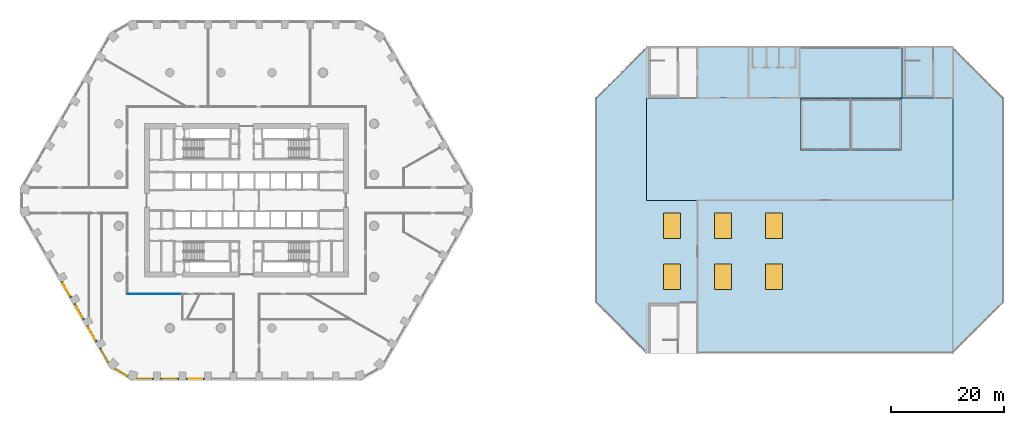
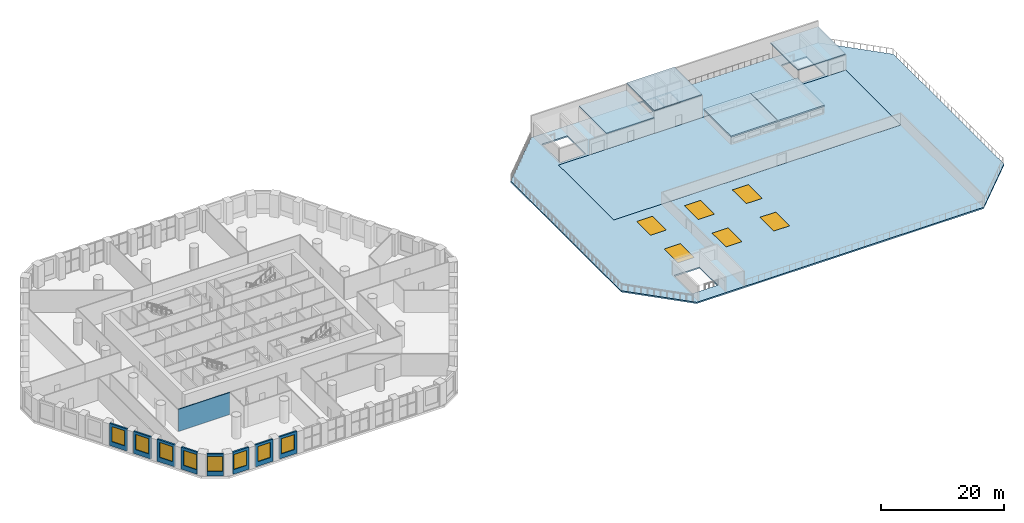
# One storey, part 6 of 21: 14 windows, 9 walls, 7 slabs, 14 openings.
"""IFC4 building model written with IfcOpenShell, lengths in metres."""

from ifc_helpers import new_model, si_unit, direction, frame, frame_2d, origin, origin_2d, place, context, subcontext, project, spatial, polyline, rectangle, outline, extrude, material, layer, layer_set, type_object, element, fill, save


model = new_model("IFC4")

# Units and contexts
model_context = context("Model", 3, precision=1e-05, world=origin(), true_north=direction((0.0, 1.0)))
body_context = subcontext(model_context, "Body", "Model", "MODEL_VIEW")
ifc_project = project(units=[si_unit("LENGTHUNIT", "METRE"), si_unit("AREAUNIT", "SQUARE_METRE"), si_unit("VOLUMEUNIT", "CUBIC_METRE"), si_unit("PLANEANGLEUNIT", "RADIAN"), si_unit("MASSUNIT", "GRAM", prefix="KILO")], contexts=[model_context])

# Site, building, storey
site_placement = place(None, origin())
site = spatial("IfcSite", under=ifc_project, at=site_placement, CompositionType="ELEMENT")
building_placement = place(site_placement, origin())
building = spatial("IfcBuilding", under=site, at=building_placement, Name="Dhurran Vertical Campus", CompositionType="ELEMENT")
storey_placement = place(building_placement, frame((0.0, 0.0, 20.39990234375)))
storey = spatial("IfcBuildingStorey", under=building, at=storey_placement, Name="L04", CompositionType="ELEMENT", Elevation=20.39990234375)

# Slabs
ifc_material_1 = material(Name="Concrete C40/50", Category="concrete")
ifc_layer_1 = layer(ifc_material_1, 0.199951171875)
ifc_layer_set_1 = layer_set([ifc_layer_1], Name="Concrete C40/50")
slab_type_1 = type_object("IfcSlabType", Name="hl-head house roof slab 200", PredefinedType="ROOF", material=ifc_layer_set_1)
slab_1_placement = place(storey_placement, frame((0.0, 0.0, 4.400146484375)))
element("IfcSlab", 1, at=slab_1_placement, inside=storey, type_object=slab_type_1, Name="Head house roof 2", PredefinedType="ROOF", context=body_context, shape_type="SweptSolid", body=[
    extrude(outline(polyline([(97.5, 27.0), (88.5, 27.0), (88.5, 18.0), (97.5, 18.0), (97.5, 27.0)])), origin(), (0.0, 0.0, 1.0), 0.199951171875),
])
slab_2_placement = place(storey_placement, frame((0.0, 0.0, 3.0)))
element("IfcSlab", 2, at=slab_2_placement, inside=storey, type_object=slab_type_1, Name="Head house roof 3", PredefinedType="ROOF", context=body_context, shape_type="SweptSolid", body=[
    extrude(outline(polyline([(124.5, 27.0), (115.5, 27.0), (115.5, 18.0), (124.5, 18.0), (124.5, 27.0)])), origin(), (0.0, 0.0, 1.0), 0.2001953125),
])
slab_3_placement = place(storey_placement, frame((0.0, 0.0, 3.0)))
element("IfcSlab", 3, at=slab_3_placement, inside=storey, type_object=slab_type_1, Name="Head house roof 4", PredefinedType="ROOF", context=body_context, shape_type="SweptSolid", body=[
    extrude(outline(polyline([(88.5, 27.0), (79.5, 27.0), (79.5, 18.0), (88.5, 18.0), (88.5, 27.0)])), origin(), (0.0, 0.0, 1.0), 0.2001953125),
])
ifc_material_2 = material(Name="Concrete C40/50", Category="concrete")
ifc_layer_2 = layer(ifc_material_2, 0.300048828125)
ifc_layer_set_2 = layer_set([ifc_layer_2], Name="Concrete C40/50")
slab_type_2 = type_object("IfcSlabType", Name="hl-lantern roof slab 300", PredefinedType="ROOF", material=ifc_layer_set_2)
slab_4_placement = place(storey_placement, frame((0.0, 0.0, 1.5)))
element("IfcSlab", 4, at=slab_4_placement, inside=storey, type_object=slab_type_2, Name="Lantern 1 roof", PredefinedType="ROOF", context=body_context, shape_type="SweptSolid", body=[
    extrude(outline(polyline([(97.675048828125, 8.875), (106.47509765625, 8.875), (106.47509765625, 17.824951171875), (97.675048828125, 17.824951171875), (97.675048828125, 8.875)])), origin(), (0.0, 0.0, 1.0), 0.300048828125),
])
slab_5_placement = place(storey_placement, frame((0.0, 0.0, 1.5)))
element("IfcSlab", 5, at=slab_5_placement, inside=storey, type_object=slab_type_2, Name="Lantern 2 roof", PredefinedType="ROOF", context=body_context, shape_type="SweptSolid", body=[
    extrude(outline(polyline([(106.52490234375, 8.875), (115.324951171875, 8.875), (115.324951171875, 17.824951171875), (106.52490234375, 17.824951171875), (106.52490234375, 8.875)])), origin(), (0.0, 0.0, 1.0), 0.300048828125),
])
ifc_material_3 = material(Name="Concrete C40/50", Category="concrete")
ifc_layer_3 = layer(ifc_material_3, 0.280029296875)
ifc_layer_set_3 = layer_set([ifc_layer_3], Name="Concrete C40/50")
slab_type_3 = type_object("IfcSlabType", Name="hl-roof garden slab 280", PredefinedType="FLOOR", material=ifc_layer_set_3)
slab_6_placement = place(storey_placement, frame((0.0, 0.0, -0.27978515625)))
element("IfcSlab", 6, at=slab_6_placement, inside=storey, type_object=slab_type_3, Name="Hall roof garden slab", PredefinedType="FLOOR", context=body_context, shape_type="SweptSolid", body=[
    extrude(outline(polyline([(70.5, 0.0), (124.5, 0.0), (124.5, 18.0), (70.5, 18.0), (70.5, 0.0)])), origin(), (0.0, 0.0, 1.0), 0.27978515625),
])

# Slab, openings, windows
ifc_material_4 = material(Name="Concrete C40/50", Category="concrete")
ifc_layer_4 = layer(ifc_material_4, 0.280029296875)
ifc_layer_set_4 = layer_set([ifc_layer_4], Name="Concrete C40/50")
slab_type_4 = type_object("IfcSlabType", Name="hl-roof slab 280", PredefinedType="ROOF", material=ifc_layer_set_4)
slab_7_placement = place(storey_placement, frame((0.0, 0.0, -0.27978515625)))
slab_7 = element("IfcSlab", 7, at=slab_7_placement, inside=storey, type_object=slab_type_4, Name="Hall L04 slab", PredefinedType="ROOF", context=body_context, shape_type="SweptSolid", body=[
    extrude(outline(polyline([(61.5, -18.0), (70.5, -27.0), (124.5, -27.0), (133.5, -18.0), (133.5, 18.0), (124.5, 27.0), (70.5, 27.0), (61.5, 18.0), (61.5, -18.0)]), holes=[polyline([(71.14990234375, -24.5), (75.89990234375, -24.5), (75.89990234375, -18.550048828125), (71.14990234375, -18.550048828125), (71.14990234375, -24.5)]), polyline([(116.14990234375, 18.550048828125), (120.89990234375, 18.550048828125), (120.89990234375, 24.5), (116.14990234375, 24.5), (116.14990234375, 18.550048828125)]), polyline([(71.14990234375, 18.550048828125), (75.89990234375, 18.550048828125), (75.89990234375, 24.5), (71.14990234375, 24.5), (71.14990234375, 18.550048828125)]), polyline([(89.300048828125, 23.5), (91.5, 23.5), (91.5, 26.85009765625), (89.300048828125, 26.85009765625), (89.300048828125, 23.5)]), polyline([(91.75, 23.5), (93.75, 23.5), (93.75, 26.85009765625), (91.75, 26.85009765625), (91.75, 23.5)]), polyline([(94.0, 23.5), (96.60009765625, 23.5), (96.60009765625, 26.85009765625), (94.0, 26.85009765625), (94.0, 23.5)]), polyline([(70.5, 0.0), (124.5, 0.0), (124.5, 18.0), (70.5, 18.0), (70.5, 0.0)])]), origin(), (0.0, 0.0, 1.0), 0.27978515625),
])
opening_1_placement = place(slab_7_placement, frame((75.0, -13.5, 0.0)))
opening_1 = element("IfcOpeningElement", 8, at=opening_1_placement, cuts=slab_7, Name="Opening RL01", PredefinedType="OPENING", context=body_context, shape_type="SweptSolid", body=[
    extrude(rectangle(XDim=3.0, YDim=4.5, at=origin_2d()), origin(), (0.0, 0.0, 1.0), 0.27978515625),
])
opening_2_placement = place(slab_7_placement, frame((84.0, -13.5, 0.0)))
opening_2 = element("IfcOpeningElement", 9, at=opening_2_placement, cuts=slab_7, Name="Opening RL02", PredefinedType="OPENING", context=body_context, shape_type="SweptSolid", body=[
    extrude(rectangle(XDim=3.0, YDim=4.5, at=origin_2d()), origin(), (0.0, 0.0, 1.0), 0.27978515625),
])
opening_3_placement = place(slab_7_placement, frame((93.0, -13.5, 0.0)))
opening_3 = element("IfcOpeningElement", 10, at=opening_3_placement, cuts=slab_7, Name="Opening RL03", PredefinedType="OPENING", context=body_context, shape_type="SweptSolid", body=[
    extrude(rectangle(XDim=3.0, YDim=4.5, at=origin_2d()), origin(), (0.0, 0.0, 1.0), 0.27978515625),
])
opening_4_placement = place(slab_7_placement, frame((75.0, -4.5, 0.0)))
opening_4 = element("IfcOpeningElement", 11, at=opening_4_placement, cuts=slab_7, Name="Opening RL04", PredefinedType="OPENING", context=body_context, shape_type="SweptSolid", body=[
    extrude(rectangle(XDim=3.0, YDim=4.5, at=origin_2d()), origin(), (0.0, 0.0, 1.0), 0.27978515625),
])
opening_5_placement = place(slab_7_placement, frame((84.0, -4.5, 0.0)))
opening_5 = element("IfcOpeningElement", 12, at=opening_5_placement, cuts=slab_7, Name="Opening RL05", PredefinedType="OPENING", context=body_context, shape_type="SweptSolid", body=[
    extrude(rectangle(XDim=3.0, YDim=4.5, at=origin_2d()), origin(), (0.0, 0.0, 1.0), 0.27978515625),
])
opening_6_placement = place(slab_7_placement, frame((93.0, -4.5, 0.0)))
opening_6 = element("IfcOpeningElement", 13, at=opening_6_placement, cuts=slab_7, Name="Opening RL06", PredefinedType="OPENING", context=body_context, shape_type="SweptSolid", body=[
    extrude(rectangle(XDim=3.0, YDim=4.5, at=origin_2d()), origin(), (0.0, 0.0, 1.0), 0.27978515625),
])
ifc_material_5 = material(Name="Aluminium", Category="aluminium")
window_type_1 = type_object("IfcWindowType", Name="hl-roof light 3000x4500", PartitioningType="SINGLE_PANEL", PredefinedType="SKYLIGHT", material=ifc_material_5)
window_1_placement = place(opening_1_placement, frame((0.0, 0.0, 0.229736328125)))
window_1 = element("IfcWindow", 14, at=window_1_placement, inside=storey, type_object=window_type_1, Name="Roof light RL01", OverallHeight=4.5, OverallWidth=3.0, PartitioningType="SINGLE_PANEL", PredefinedType="SKYLIGHT", context=body_context, shape_type="SweptSolid", body=[
    extrude(rectangle(XDim=3.0, YDim=4.5, at=origin_2d()), origin(), (0.0, 0.0, 1.0), 0.050048828125),
])
fill(opening_1, window_1)
window_2_placement = place(opening_2_placement, frame((0.0, 0.0, 0.229736328125)))
window_2 = element("IfcWindow", 15, at=window_2_placement, inside=storey, type_object=window_type_1, Name="Roof light RL02", OverallHeight=4.5, OverallWidth=3.0, PartitioningType="SINGLE_PANEL", PredefinedType="SKYLIGHT", context=body_context, shape_type="SweptSolid", body=[
    extrude(rectangle(XDim=3.0, YDim=4.5, at=origin_2d()), origin(), (0.0, 0.0, 1.0), 0.050048828125),
])
fill(opening_2, window_2)
window_3_placement = place(opening_3_placement, frame((0.0, 0.0, 0.229736328125)))
window_3 = element("IfcWindow", 16, at=window_3_placement, inside=storey, type_object=window_type_1, Name="Roof light RL03", OverallHeight=4.5, OverallWidth=3.0, PartitioningType="SINGLE_PANEL", PredefinedType="SKYLIGHT", context=body_context, shape_type="SweptSolid", body=[
    extrude(rectangle(XDim=3.0, YDim=4.5, at=origin_2d()), origin(), (0.0, 0.0, 1.0), 0.050048828125),
])
fill(opening_3, window_3)
window_4_placement = place(opening_4_placement, frame((0.0, 0.0, 0.229736328125)))
window_4 = element("IfcWindow", 17, at=window_4_placement, inside=storey, type_object=window_type_1, Name="Roof light RL04", OverallHeight=4.5, OverallWidth=3.0, PartitioningType="SINGLE_PANEL", PredefinedType="SKYLIGHT", context=body_context, shape_type="SweptSolid", body=[
    extrude(rectangle(XDim=3.0, YDim=4.5, at=origin_2d()), origin(), (0.0, 0.0, 1.0), 0.050048828125),
])
fill(opening_4, window_4)
window_5_placement = place(opening_5_placement, frame((0.0, 0.0, 0.229736328125)))
window_5 = element("IfcWindow", 18, at=window_5_placement, inside=storey, type_object=window_type_1, Name="Roof light RL05", OverallHeight=4.5, OverallWidth=3.0, PartitioningType="SINGLE_PANEL", PredefinedType="SKYLIGHT", context=body_context, shape_type="SweptSolid", body=[
    extrude(rectangle(XDim=3.0, YDim=4.5, at=origin_2d()), origin(), (0.0, 0.0, 1.0), 0.050048828125),
])
fill(opening_5, window_5)
window_6_placement = place(opening_6_placement, frame((0.0, 0.0, 0.229736328125)))
window_6 = element("IfcWindow", 19, at=window_6_placement, inside=storey, type_object=window_type_1, Name="Roof light RL06", OverallHeight=4.5, OverallWidth=3.0, PartitioningType="SINGLE_PANEL", PredefinedType="SKYLIGHT", context=body_context, shape_type="SweptSolid", body=[
    extrude(rectangle(XDim=3.0, YDim=4.5, at=origin_2d()), origin(), (0.0, 0.0, 1.0), 0.050048828125),
])
fill(opening_6, window_6)

# Wall, opening, window
ifc_material_6 = material(Name="Precast concrete C50/60", Category="concrete")
ifc_layer_5 = layer(ifc_material_6, 0.300048828125)
ifc_layer_set_5 = layer_set([ifc_layer_5], Name="Precast concrete C50/60")
wall_type_1 = type_object("IfcWallType", Name="Precast spandrel wall 300", PredefinedType="SOLIDWALL", material=ifc_layer_set_5)
wall_1_placement = place(storey_placement, frame((-19.33935546875, -31.4296875, 0.0), z_axis=(0.0, 0.0, 1.0), x_axis=(1.0, 0.0, 0.0)))
wall_1 = element("IfcWall", 20, at=wall_1_placement, inside=storey, type_object=wall_type_1, Name="EW1 L04.00", PredefinedType="SOLIDWALL", context=body_context, shape_type="SweptSolid", body=[
    extrude(rectangle(XDim=2.98876953125, YDim=0.300048828125, at=frame_2d((1.494384765625, 0.0))), origin(), (0.0, 0.0, 1.0), 4.400146484375),
])
opening_7_placement = place(wall_1_placement, frame((0.139404296875, 0.0, 0.89990234375)))
opening_7 = element("IfcOpeningElement", 21, at=opening_7_placement, cuts=wall_1, Name="Opening WT2", PredefinedType="OPENING", context=body_context, shape_type="SweptSolid", body=[
    extrude(rectangle(XDim=2.39990234375, YDim=3.0, at=frame_2d((1.199951171875, 1.5))), frame((0.0, 0.159912109375, 0.0), z_axis=(0.0, -1.0, 0.0), x_axis=(1.0, 0.0, 0.0)), (0.0, 0.0, 1.0), 0.320068359375),
])
ifc_material_7 = material(Name="Aluminium frame with solar-control glass", Category="aluminium")
window_type_2 = type_object("IfcWindowType", Name="Podium window 2400 x 3000", PartitioningType="SINGLE_PANEL", PredefinedType="WINDOW", material=ifc_material_7)
window_7_placement = place(opening_7_placement, origin())
window_7 = element("IfcWindow", 22, at=window_7_placement, inside=storey, type_object=window_type_2, Name="WT2 L04.00", OverallHeight=3.0, OverallWidth=2.39990234375, PartitioningType="SINGLE_PANEL", PredefinedType="WINDOW", context=body_context, shape_type="SweptSolid", body=[
    extrude(rectangle(XDim=2.39990234375, YDim=3.0, at=frame_2d((1.199951171875, 1.5))), frame((0.0, 0.030029296875, 0.0), z_axis=(0.0, -1.0, 0.0), x_axis=(1.0, 0.0, 0.0)), (0.0, 0.0, 1.0), 0.06005859375),
])
fill(opening_7, window_7)

wall_2_placement = place(storey_placement, frame((-15.1494140625, -31.4296875, 0.0), z_axis=(0.0, 0.0, 1.0), x_axis=(1.0, 0.0, 0.0)))
wall_2 = element("IfcWall", 23, at=wall_2_placement, inside=storey, type_object=wall_type_1, Name="EW1 L04.01", PredefinedType="SOLIDWALL", context=body_context, shape_type="SweptSolid", body=[
    extrude(rectangle(XDim=3.298828125, YDim=0.300048828125, at=frame_2d((1.6494140625, 0.0))), origin(), (0.0, 0.0, 1.0), 4.400146484375),
])
opening_8_placement = place(wall_2_placement, frame((0.449462890625, 0.0, 0.89990234375)))
opening_8 = element("IfcOpeningElement", 24, at=opening_8_placement, cuts=wall_2, Name="Opening WT2", PredefinedType="OPENING", context=body_context, shape_type="SweptSolid", body=[
    extrude(rectangle(XDim=2.39990234375, YDim=3.0, at=frame_2d((1.199951171875, 1.5))), frame((0.0, 0.159912109375, 0.0), z_axis=(0.0, -1.0, 0.0), x_axis=(1.0, 0.0, 0.0)), (0.0, 0.0, 1.0), 0.320068359375),
])
window_8_placement = place(opening_8_placement, origin())
window_8 = element("IfcWindow", 25, at=window_8_placement, inside=storey, type_object=window_type_2, Name="WT2 L04.01", OverallHeight=3.0, OverallWidth=2.39990234375, PartitioningType="SINGLE_PANEL", PredefinedType="WINDOW", context=body_context, shape_type="SweptSolid", body=[
    extrude(rectangle(XDim=2.39990234375, YDim=3.0, at=frame_2d((1.199951171875, 1.5))), frame((0.0, 0.030029296875, 0.0), z_axis=(0.0, -1.0, 0.0), x_axis=(1.0, 0.0, 0.0)), (0.0, 0.0, 1.0), 0.06005859375),
])
fill(opening_8, window_8)

wall_3_placement = place(storey_placement, frame((-10.6494140625, -31.4296875, 0.0), z_axis=(0.0, 0.0, 1.0), x_axis=(1.0, 0.0, 0.0)))
wall_3 = element("IfcWall", 26, at=wall_3_placement, inside=storey, type_object=wall_type_1, Name="EW1 L04.02", PredefinedType="SOLIDWALL", context=body_context, shape_type="SweptSolid", body=[
    extrude(rectangle(XDim=3.298828125, YDim=0.300048828125, at=frame_2d((1.6494140625, 0.0))), origin(), (0.0, 0.0, 1.0), 4.400146484375),
])
opening_9_placement = place(wall_3_placement, frame((0.449462890625, 0.0, 0.89990234375)))
opening_9 = element("IfcOpeningElement", 27, at=opening_9_placement, cuts=wall_3, Name="Opening WT2", PredefinedType="OPENING", context=body_context, shape_type="SweptSolid", body=[
    extrude(rectangle(XDim=2.39990234375, YDim=3.0, at=frame_2d((1.199951171875, 1.5))), frame((0.0, 0.159912109375, 0.0), z_axis=(0.0, -1.0, 0.0), x_axis=(1.0, 0.0, 0.0)), (0.0, 0.0, 1.0), 0.320068359375),
])
window_9_placement = place(opening_9_placement, origin())
window_9 = element("IfcWindow", 28, at=window_9_placement, inside=storey, type_object=window_type_2, Name="WT2 L04.02", OverallHeight=3.0, OverallWidth=2.39990234375, PartitioningType="SINGLE_PANEL", PredefinedType="WINDOW", context=body_context, shape_type="SweptSolid", body=[
    extrude(rectangle(XDim=2.39990234375, YDim=3.0, at=frame_2d((1.199951171875, 1.5))), frame((0.0, 0.030029296875, 0.0), z_axis=(0.0, -1.0, 0.0), x_axis=(1.0, 0.0, 0.0)), (0.0, 0.0, 1.0), 0.06005859375),
])
fill(opening_9, window_9)

wall_4_placement = place(storey_placement, frame((-32.543701171875, -14.286376953125, 0.0), z_axis=(0.0, 0.0, 1.0), x_axis=(0.499991515992, -0.866030301974, 0.0)))
wall_4 = element("IfcWall", 29, at=wall_4_placement, inside=storey, type_object=wall_type_1, Name="EW1 L04.47", PredefinedType="SOLIDWALL", context=body_context, shape_type="SweptSolid", body=[
    extrude(rectangle(XDim=3.298828125, YDim=0.300048828125, at=frame_2d((1.6494140625, 0.0))), origin(), (0.0, 0.0, 1.0), 4.400146484375),
])
opening_10_placement = place(wall_4_placement, frame((0.449462890625, 0.0, 0.89990234375)))
opening_10 = element("IfcOpeningElement", 30, at=opening_10_placement, cuts=wall_4, Name="Opening WT2", PredefinedType="OPENING", context=body_context, shape_type="SweptSolid", body=[
    extrude(rectangle(XDim=2.39990234375, YDim=3.0, at=frame_2d((1.199951171875, 1.5))), frame((0.0, 0.159912109375, 0.0), z_axis=(0.0, -1.0, 0.0), x_axis=(1.0, 0.0, 0.0)), (0.0, 0.0, 1.0), 0.320068359375),
])
window_10_placement = place(opening_10_placement, origin())
window_10 = element("IfcWindow", 31, at=window_10_placement, inside=storey, type_object=window_type_2, Name="WT2 L04.47", OverallHeight=3.0, OverallWidth=2.39990234375, PartitioningType="SINGLE_PANEL", PredefinedType="WINDOW", context=body_context, shape_type="SweptSolid", body=[
    extrude(rectangle(XDim=2.39990234375, YDim=3.0, at=frame_2d((1.199951171875, 1.5))), frame((0.0, 0.030029296875, 0.0), z_axis=(0.0, -1.0, 0.0), x_axis=(1.0, 0.0, 0.0)), (0.0, 0.0, 1.0), 0.06005859375),
])
fill(opening_10, window_10)

wall_5_placement = place(storey_placement, frame((-30.293701171875, -18.18359375, 0.0), z_axis=(0.0, 0.0, 1.0), x_axis=(0.499991515992, -0.866030301974, 0.0)))
wall_5 = element("IfcWall", 32, at=wall_5_placement, inside=storey, type_object=wall_type_1, Name="EW1 L04.48", PredefinedType="SOLIDWALL", context=body_context, shape_type="SweptSolid", body=[
    extrude(rectangle(XDim=3.298828125, YDim=0.300048828125, at=frame_2d((1.6494140625, 0.0))), origin(), (0.0, 0.0, 1.0), 4.400146484375),
])
opening_11_placement = place(wall_5_placement, frame((0.449462890625, 0.0, 0.89990234375)))
opening_11 = element("IfcOpeningElement", 33, at=opening_11_placement, cuts=wall_5, Name="Opening WT2", PredefinedType="OPENING", context=body_context, shape_type="SweptSolid", body=[
    extrude(rectangle(XDim=2.39990234375, YDim=3.0, at=frame_2d((1.199951171875, 1.5))), frame((0.0, 0.159912109375, 0.0), z_axis=(0.0, -1.0, 0.0), x_axis=(1.0, 0.0, 0.0)), (0.0, 0.0, 1.0), 0.320068359375),
])
window_11_placement = place(opening_11_placement, origin())
window_11 = element("IfcWindow", 34, at=window_11_placement, inside=storey, type_object=window_type_2, Name="WT2 L04.48", OverallHeight=3.0, OverallWidth=2.39990234375, PartitioningType="SINGLE_PANEL", PredefinedType="WINDOW", context=body_context, shape_type="SweptSolid", body=[
    extrude(rectangle(XDim=2.39990234375, YDim=3.0, at=frame_2d((1.199951171875, 1.5))), frame((0.0, 0.030029296875, 0.0), z_axis=(0.0, -1.0, 0.0), x_axis=(1.0, 0.0, 0.0)), (0.0, 0.0, 1.0), 0.06005859375),
])
fill(opening_11, window_11)

wall_6_placement = place(storey_placement, frame((-28.043701171875, -22.08056640625, 0.0), z_axis=(0.0, 0.0, 1.0), x_axis=(0.499991515992, -0.866030301974, 0.0)))
wall_6 = element("IfcWall", 35, at=wall_6_placement, inside=storey, type_object=wall_type_1, Name="EW1 L04.49", PredefinedType="SOLIDWALL", context=body_context, shape_type="SweptSolid", body=[
    extrude(rectangle(XDim=3.298828125, YDim=0.300048828125, at=frame_2d((1.6494140625, 0.0))), origin(), (0.0, 0.0, 1.0), 4.400146484375),
])
opening_12_placement = place(wall_6_placement, frame((0.449462890625, 0.0, 0.89990234375)))
opening_12 = element("IfcOpeningElement", 36, at=opening_12_placement, cuts=wall_6, Name="Opening WT2", PredefinedType="OPENING", context=body_context, shape_type="SweptSolid", body=[
    extrude(rectangle(XDim=2.39990234375, YDim=3.0, at=frame_2d((1.199951171875, 1.5))), frame((0.0, 0.159912109375, 0.0), z_axis=(0.0, -1.0, 0.0), x_axis=(1.0, 0.0, 0.0)), (0.0, 0.0, 1.0), 0.320068359375),
])
window_12_placement = place(opening_12_placement, origin())
window_12 = element("IfcWindow", 37, at=window_12_placement, inside=storey, type_object=window_type_2, Name="WT2 L04.49", OverallHeight=3.0, OverallWidth=2.39990234375, PartitioningType="SINGLE_PANEL", PredefinedType="WINDOW", context=body_context, shape_type="SweptSolid", body=[
    extrude(rectangle(XDim=2.39990234375, YDim=3.0, at=frame_2d((1.199951171875, 1.5))), frame((0.0, 0.030029296875, 0.0), z_axis=(0.0, -1.0, 0.0), x_axis=(1.0, 0.0, 0.0)), (0.0, 0.0, 1.0), 0.06005859375),
])
fill(opening_12, window_12)

wall_7_placement = place(storey_placement, frame((-25.793701171875, -25.977783203125, 0.0), z_axis=(0.0, 0.0, 1.0), x_axis=(0.49999586137, -0.866027793211, 0.0)))
wall_7 = element("IfcWall", 38, at=wall_7_placement, inside=storey, type_object=wall_type_1, Name="EW1 L04.50", PredefinedType="SOLIDWALL", context=body_context, shape_type="SweptSolid", body=[
    extrude(rectangle(XDim=2.98876953125, YDim=0.300048828125, at=frame_2d((1.494384765625, 0.0))), origin(), (0.0, 0.0, 1.0), 4.400146484375),
])
opening_13_placement = place(wall_7_placement, frame((0.449462890625, 0.0, 0.89990234375)))
opening_13 = element("IfcOpeningElement", 39, at=opening_13_placement, cuts=wall_7, Name="Opening WT2", PredefinedType="OPENING", context=body_context, shape_type="SweptSolid", body=[
    extrude(rectangle(XDim=2.39990234375, YDim=3.0, at=frame_2d((1.199951171875, 1.5))), frame((0.0, 0.159912109375, 0.0), z_axis=(0.0, -1.0, 0.0), x_axis=(1.0, 0.0, 0.0)), (0.0, 0.0, 1.0), 0.320068359375),
])
window_13_placement = place(opening_13_placement, origin())
window_13 = element("IfcWindow", 40, at=window_13_placement, inside=storey, type_object=window_type_2, Name="WT2 L04.50", OverallHeight=3.0, OverallWidth=2.39990234375, PartitioningType="SINGLE_PANEL", PredefinedType="WINDOW", context=body_context, shape_type="SweptSolid", body=[
    extrude(rectangle(XDim=2.39990234375, YDim=3.0, at=frame_2d((1.199951171875, 1.5))), frame((0.0, 0.030029296875, 0.0), z_axis=(0.0, -1.0, 0.0), x_axis=(1.0, 0.0, 0.0)), (0.0, 0.0, 1.0), 0.06005859375),
])
fill(opening_13, window_13)

wall_8_placement = place(storey_placement, frame((-23.183349609375, -29.681884765625, 0.0), z_axis=(0.0, 0.0, 1.0), x_axis=(0.866001915448, -0.500040680786, 0.0)))
wall_8 = element("IfcWall", 41, at=wall_8_placement, inside=storey, type_object=wall_type_1, Name="EW1 L04.51", PredefinedType="SOLIDWALL", context=body_context, shape_type="SweptSolid", body=[
    extrude(rectangle(XDim=2.678466796875, YDim=0.300048828125, at=frame_2d((1.33935546875, 0.0))), origin(), (0.0, 0.0, 1.0), 4.400146484375),
])
opening_14_placement = place(wall_8_placement, frame((0.139404296875, 0.0, 0.89990234375)))
opening_14 = element("IfcOpeningElement", 42, at=opening_14_placement, cuts=wall_8, Name="Opening WT2", PredefinedType="OPENING", context=body_context, shape_type="SweptSolid", body=[
    extrude(rectangle(XDim=2.39990234375, YDim=3.0, at=frame_2d((1.199951171875, 1.5))), frame((0.0, 0.159912109375, 0.0), z_axis=(0.0, -1.0, 0.0), x_axis=(1.0, 0.0, 0.0)), (0.0, 0.0, 1.0), 0.320068359375),
])
window_14_placement = place(opening_14_placement, origin())
window_14 = element("IfcWindow", 43, at=window_14_placement, inside=storey, type_object=window_type_2, Name="WT2 L04.51", OverallHeight=3.0, OverallWidth=2.39990234375, PartitioningType="SINGLE_PANEL", PredefinedType="WINDOW", context=body_context, shape_type="SweptSolid", body=[
    extrude(rectangle(XDim=2.39990234375, YDim=3.0, at=frame_2d((1.199951171875, 1.5))), frame((0.0, 0.030029296875, 0.0), z_axis=(0.0, -1.0, 0.0), x_axis=(1.0, 0.0, 0.0)), (0.0, 0.0, 1.0), 0.06005859375),
])
fill(opening_14, window_14)

# Wall
ifc_material_8 = material(Name="Gypsum board corridor wall on steel studs", Category="steel")
ifc_layer_6 = layer(ifc_material_8, 0.14990234375)
ifc_layer_set_6 = layer_set([ifc_layer_6], Name="Gypsum board corridor wall on steel studs")
wall_type_2 = type_object("IfcWallType", Name="fl-CW-150 corridor wall", PredefinedType="PARTITIONING", material=ifc_layer_set_6)
wall_9_placement = place(storey_placement, frame((-20.925048828125, -16.5, 0.0), z_axis=(0.0, 0.0, 1.0), x_axis=(1.0, 0.0, 0.0)))
element("IfcWall", 44, at=wall_9_placement, inside=storey, type_object=wall_type_2, Name="Partition 04-11", PredefinedType="PARTITIONING", context=body_context, shape_type="SweptSolid", body=[
    extrude(rectangle(XDim=9.675048828125, YDim=0.14990234375, at=frame_2d((4.83740234375, 0.0))), origin(), (0.0, 0.0, 1.0), 4.400146484375),
])

save(model, "model.ifc")
